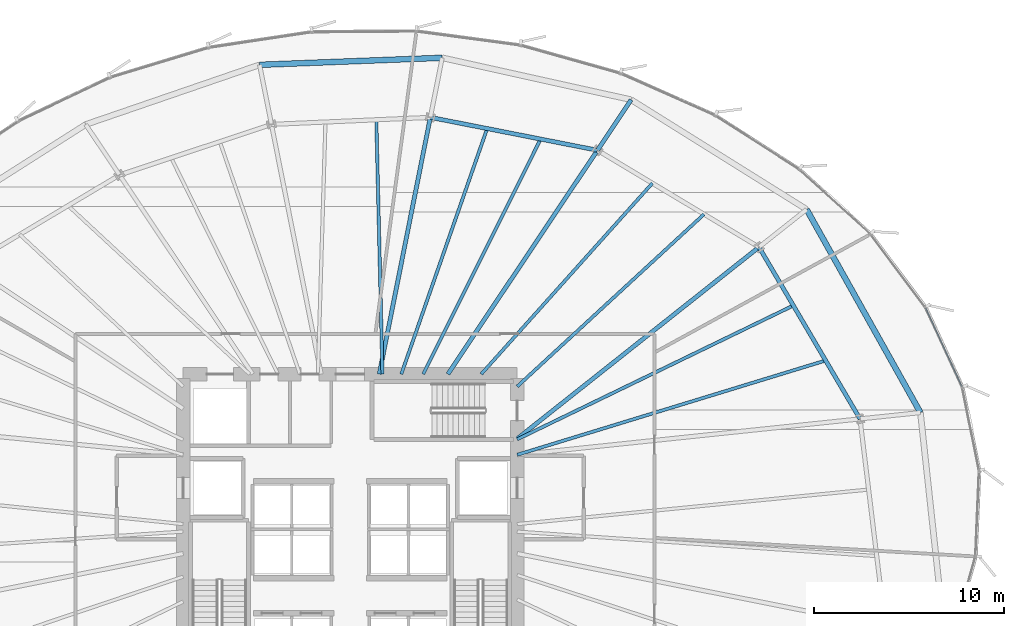
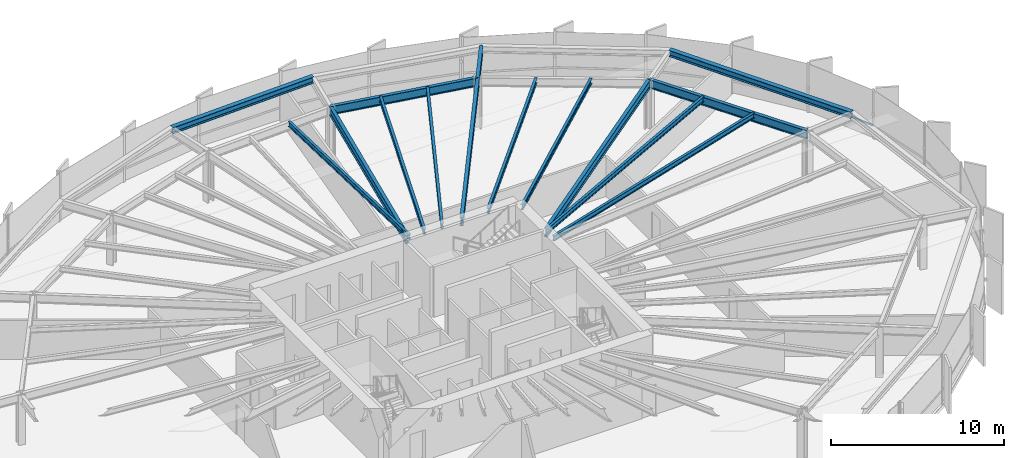
# One storey, part 22 of 37: 15 beams, 1 member, 1 element without a shape of its own.
"""IFC4 building model written with IfcOpenShell, lengths in metres."""

from ifc_helpers import new_model, si_unit, direction, frame, origin, origin_2d, place, context, subcontext, project, spatial, hollow_rectangle, i_section, extrude, source, transform, mapped, material, layer, layer_set, material_profile, profile_set, type_object, element, aggregate, save


model = new_model("IFC4")

# Units and contexts
model_context = context("Model", 3, precision=1e-05, world=origin(), true_north=direction((0.0, 1.0)))
body_context = subcontext(model_context, "Body", "Model", "MODEL_VIEW")
ifc_project = project(units=[si_unit("LENGTHUNIT", "METRE"), si_unit("AREAUNIT", "SQUARE_METRE"), si_unit("VOLUMEUNIT", "CUBIC_METRE"), si_unit("PLANEANGLEUNIT", "RADIAN"), si_unit("MASSUNIT", "GRAM", prefix="KILO"), si_unit("THERMODYNAMICTEMPERATUREUNIT", "KELVIN")], contexts=[model_context])

# Site, building, storey
site_placement = place(None, origin())
site = spatial("IfcSite", under=ifc_project, at=site_placement, CompositionType="ELEMENT")
building_placement = place(site_placement, origin())
building = spatial("IfcBuilding", under=site, at=building_placement, Name="Kethvar Cultural Tower", CompositionType="ELEMENT")
storey_placement = place(building_placement, frame((0.0, 0.0, 48.60009765625)))
storey = spatial("IfcBuildingStorey", under=building, at=storey_placement, Name="L11", CompositionType="ELEMENT", Elevation=48.60009765625)

# Beams
ifc_material_1 = material(Name="Steel S355J2", Category="steel")
ifc_material_profile_1 = material_profile(ifc_material_1, i_section(OverallWidth=0.219970703125, OverallDepth=0.60009765625, WebThickness=0.011962890625, FlangeThickness=0.01904296875, FilletRadius=0.02392578125, at=origin_2d()), Name="Steel S355J2 — IPE600")
ifc_profile_set_1 = profile_set([ifc_material_profile_1], Name="Steel S355J2 — IPE600")
beam_type_1 = type_object("IfcBeamType", Name="BM-IPE600", PredefinedType="BEAM", material=ifc_profile_set_1)
shared_shape_1 = source(origin(), body_context, "Body", "SweptSolid", [
    extrude(i_section(OverallWidth=0.219970703125, OverallDepth=0.60009765625, WebThickness=0.011962890625, FlangeThickness=0.01904296875, FilletRadius=0.02392578125, at=origin_2d()), origin(), (0.0, 0.0, 1.0), 16.248779296875),
])
beam_1_placement = place(storey_placement, frame((55.60009765625, 32.10009765625, 3.247802734375), z_axis=(0.783831288624, 0.620973840813, 0.0), x_axis=(-0.620973840813, 0.783831288624, 0.0)))
element("IfcBeam", 1, at=beam_1_placement, inside=storey, type_object=beam_type_1, Name="L11 Primary Radial Beam RB-02", PredefinedType="BEAM", context=body_context, shape_type="MappedRepresentation", body=[
    mapped(shared_shape_1, transform((0.0, 0.0, 0.0), scale=1.0)),
])
shared_shape_2 = source(origin(), body_context, "Body", "SweptSolid", [
    extrude(i_section(OverallWidth=0.219970703125, OverallDepth=0.60009765625, WebThickness=0.011962890625, FlangeThickness=0.01904296875, FilletRadius=0.02392578125, at=origin_2d()), origin(), (0.0, 0.0, 1.0), 14.18359375),
])
beam_2_placement = place(storey_placement, frame((51.945068359375, 35.5, 3.247802734375), z_axis=(0.55556584065, 0.831472547174, 0.0), x_axis=(-0.831472547174, 0.55556584065, 0.0)))
element("IfcBeam", 2, at=beam_2_placement, inside=storey, type_object=beam_type_1, Name="L11 Primary Radial Beam RB-03", PredefinedType="BEAM", context=body_context, shape_type="MappedRepresentation", body=[
    mapped(shared_shape_2, transform((0.0, 0.0, 0.0), scale=1.0)),
])
shared_shape_3 = source(origin(), body_context, "Body", "SweptSolid", [
    extrude(i_section(OverallWidth=0.219970703125, OverallDepth=0.60009765625, WebThickness=0.011962890625, FlangeThickness=0.01904296875, FilletRadius=0.02392578125, at=origin_2d()), origin(), (0.0, 0.0, 1.0), 3.2001953125),
])
beam_3_placement = place(storey_placement, frame((59.824951171875, 47.293212890625, 3.247802734375), z_axis=(0.555544970406, 0.831486491686, 0.0), x_axis=(-0.831486491686, 0.555544970406, 0.0)))
element("IfcBeam", 3, at=beam_3_placement, inside=storey, type_object=beam_type_1, Name="L11 Perimeter Cantilever Beam RC-03", PredefinedType="BEAM", context=body_context, shape_type="MappedRepresentation", body=[
    mapped(shared_shape_3, transform((0.0, 0.0, 0.0), scale=1.0)),
])
shared_shape_4 = source(origin(), body_context, "Body", "SweptSolid", [
    extrude(i_section(OverallWidth=0.219970703125, OverallDepth=0.60009765625, WebThickness=0.011962890625, FlangeThickness=0.01904296875, FilletRadius=0.02392578125, at=origin_2d()), origin(), (0.0, 0.0, 1.0), 13.791015625),
])
beam_4_placement = place(storey_placement, frame((48.33154296875, 35.5, 3.247802734375), z_axis=(0.195104916429, 0.980782377281, 0.0), x_axis=(-0.980782377281, 0.195104916429, 0.0)))
element("IfcBeam", 4, at=beam_4_placement, inside=storey, type_object=beam_type_1, Name="L11 Primary Radial Beam RB-04", PredefinedType="BEAM", context=body_context, shape_type="MappedRepresentation", body=[
    mapped(shared_shape_4, transform((0.0, 0.0, 0.0), scale=1.0)),
])
shared_shape_5 = source(origin(), body_context, "Body", "SweptSolid", [
    extrude(i_section(OverallWidth=0.219970703125, OverallDepth=0.60009765625, WebThickness=0.011962890625, FlangeThickness=0.01904296875, FilletRadius=0.02392578125, at=origin_2d()), origin(), (0.0, 0.0, 1.0), 10.496337890625),
])
beam_5_placement = place(storey_placement, frame((73.65673828125, 33.14208984375, 3.247802734375), z_axis=(-0.506871712474, 0.862021500366, 0.0), x_axis=(-0.862021500366, -0.506871712474, 0.0)))
element("IfcBeam", 5, at=beam_5_placement, inside=storey, type_object=beam_type_1, Name="L11 Column Ring Tie Beam CR-01", PredefinedType="BEAM", context=body_context, shape_type="MappedRepresentation", body=[
    mapped(shared_shape_5, transform((0.0, 0.0, 0.0), scale=1.0)),
])
ifc_material_profile_2 = material_profile(ifc_material_1, i_section(OverallWidth=0.169921875, OverallDepth=0.360107421875, WebThickness=0.008056640625, FlangeThickness=0.0126953125, FilletRadius=0.01806640625, at=origin_2d()), Name="Steel S355J2 — IPE360")
ifc_profile_set_2 = profile_set([ifc_material_profile_2], Name="Steel S355J2 — IPE360")
beam_type_2 = type_object("IfcBeamType", Name="BM-J360", PredefinedType="JOIST", material=ifc_profile_set_2)
shared_shape_6 = source(origin(), body_context, "Body", "SweptSolid", [
    extrude(i_section(OverallWidth=0.169921875, OverallDepth=0.360107421875, WebThickness=0.008056640625, FlangeThickness=0.0126953125, FilletRadius=0.01806640625, at=origin_2d()), origin(), (0.0, 0.0, 1.0), 16.990478515625),
])
beam_6_placement = place(storey_placement, frame((55.60009765625, 31.25, 3.367919921875), z_axis=(0.956287408668, 0.292428439149, 0.0), x_axis=(-0.292428439149, 0.956287408668, 0.0)))
element("IfcBeam", 6, at=beam_6_placement, inside=storey, type_object=beam_type_2, Name="L11 Composite Floor Joist J-01A", PredefinedType="JOIST", context=body_context, shape_type="MappedRepresentation", body=[
    mapped(shared_shape_6, transform((0.0, 0.0, 0.0), scale=1.0)),
])
shared_shape_7 = source(origin(), body_context, "Body", "SweptSolid", [
    extrude(i_section(OverallWidth=0.169921875, OverallDepth=0.360107421875, WebThickness=0.008056640625, FlangeThickness=0.0126953125, FilletRadius=0.01806640625, at=origin_2d()), origin(), (0.0, 0.0, 1.0), 16.163330078125),
])
beam_7_placement = place(storey_placement, frame((55.60009765625, 32.064697265625, 3.367919921875), z_axis=(0.899890099721, 0.436116737151, 0.0), x_axis=(-0.436116737151, 0.899890099721, 0.0)))
element("IfcBeam", 7, at=beam_7_placement, inside=storey, type_object=beam_type_2, Name="L11 Composite Floor Joist J-01B", PredefinedType="JOIST", context=body_context, shape_type="MappedRepresentation", body=[
    mapped(shared_shape_7, transform((0.0, 0.0, 0.0), scale=1.0)),
])
shared_shape_8 = source(origin(), body_context, "Body", "SweptSolid", [
    extrude(i_section(OverallWidth=0.169921875, OverallDepth=0.360107421875, WebThickness=0.008056640625, FlangeThickness=0.0126953125, FilletRadius=0.01806640625, at=origin_2d()), origin(), (0.0, 0.0, 1.0), 13.3876953125),
])
beam_8_placement = place(storey_placement, frame((55.60009765625, 34.85009765625, 3.367919921875), z_axis=(0.735175283276, 0.677877055859, 0.0), x_axis=(-0.677877055859, 0.735175283276, 0.0)))
element("IfcBeam", 8, at=beam_8_placement, inside=storey, type_object=beam_type_2, Name="L11 Composite Floor Joist J-02A", PredefinedType="JOIST", context=body_context, shape_type="MappedRepresentation", body=[
    mapped(shared_shape_8, transform((0.0, 0.0, 0.0), scale=1.0)),
])
shared_shape_9 = source(origin(), body_context, "Body", "SweptSolid", [
    extrude(i_section(OverallWidth=0.169921875, OverallDepth=0.360107421875, WebThickness=0.008056640625, FlangeThickness=0.0126953125, FilletRadius=0.01806640625, at=origin_2d()), origin(), (0.0, 0.0, 1.0), 13.508056640625),
])
beam_9_placement = place(storey_placement, frame((53.702392578125, 35.5, 3.367919921875), z_axis=(0.667503553274, 0.744606611821, 0.0), x_axis=(-0.744606611821, 0.667503553274, 0.0)))
element("IfcBeam", 9, at=beam_9_placement, inside=storey, type_object=beam_type_2, Name="L11 Composite Floor Joist J-02B", PredefinedType="JOIST", context=body_context, shape_type="MappedRepresentation", body=[
    mapped(shared_shape_9, transform((0.0, 0.0, 0.0), scale=1.0)),
])
shared_shape_10 = source(origin(), body_context, "Body", "SweptSolid", [
    extrude(i_section(OverallWidth=0.219970703125, OverallDepth=0.60009765625, WebThickness=0.011962890625, FlangeThickness=0.01904296875, FilletRadius=0.02392578125, at=origin_2d()), origin(), (0.0, 0.0, 1.0), 8.9716796875),
])
beam_10_placement = place(storey_placement, frame((59.824951171875, 47.293212890625, 3.247802734375), z_axis=(-0.981173751046, 0.193127083181, 0.0), x_axis=(-0.193127083181, -0.981173751046, 0.0)))
element("IfcBeam", 10, at=beam_10_placement, inside=storey, type_object=beam_type_1, Name="L11 Column Ring Tie Beam CR-03", PredefinedType="BEAM", context=body_context, shape_type="MappedRepresentation", body=[
    mapped(shared_shape_10, transform((0.0, 0.0, 0.0), scale=1.0)),
])
shared_shape_11 = source(origin(), body_context, "Body", "SweptSolid", [
    extrude(i_section(OverallWidth=0.169921875, OverallDepth=0.360107421875, WebThickness=0.008056640625, FlangeThickness=0.0126953125, FilletRadius=0.01806640625, at=origin_2d()), origin(), (0.0, 0.0, 1.0), 13.84130859375),
])
beam_11_placement = place(storey_placement, frame((50.646484375, 35.5, 3.367919921875), z_axis=(0.446889017672, 0.894589406311, 0.0), x_axis=(-0.894589406311, 0.446889017672, 0.0)))
element("IfcBeam", 11, at=beam_11_placement, inside=storey, type_object=beam_type_2, Name="L11 Composite Floor Joist J-03A", PredefinedType="JOIST", context=body_context, shape_type="MappedRepresentation", body=[
    mapped(shared_shape_11, transform((0.0, 0.0, 0.0), scale=1.0)),
])
shared_shape_12 = source(origin(), body_context, "Body", "SweptSolid", [
    extrude(i_section(OverallWidth=0.169921875, OverallDepth=0.360107421875, WebThickness=0.008056640625, FlangeThickness=0.0126953125, FilletRadius=0.01806640625, at=origin_2d()), origin(), (0.0, 0.0, 1.0), 13.70458984375),
])
beam_12_placement = place(storey_placement, frame((49.4921875, 35.5, 3.367919921875), z_axis=(0.330030618422, 0.943970227764, 0.0), x_axis=(-0.943970227764, 0.330030618422, 0.0)))
element("IfcBeam", 12, at=beam_12_placement, inside=storey, type_object=beam_type_2, Name="L11 Composite Floor Joist J-03B", PredefinedType="JOIST", context=body_context, shape_type="MappedRepresentation", body=[
    mapped(shared_shape_12, transform((0.0, 0.0, 0.0), scale=1.0)),
])
ifc_material_profile_3 = material_profile(ifc_material_1, i_section(OverallWidth=0.300048828125, OverallDepth=0.449951171875, WebThickness=0.013916015625, FlangeThickness=0.02587890625, FilletRadius=0.027099609375, at=origin_2d()), Name="Steel S355J2 — HEB450")
ifc_profile_set_3 = profile_set([ifc_material_profile_3], Name="Steel S355J2 — HEB450")
beam_type_3 = type_object("IfcBeamType", Name="BM-SP450", PredefinedType="SPANDREL", material=ifc_profile_set_3)
shared_shape_13 = source(origin(), body_context, "Body", "SweptSolid", [
    extrude(i_section(OverallWidth=0.300048828125, OverallDepth=0.449951171875, WebThickness=0.013916015625, FlangeThickness=0.02587890625, FilletRadius=0.027099609375, at=origin_2d()), origin(), (0.0, 0.0, 1.0), 9.62646484375),
])
beam_13_placement = place(storey_placement, frame((51.646484375, 52.164306640625, 3.322998046875), z_axis=(-0.999260612605, -0.038447732004, 0.0), x_axis=(0.038447732004, -0.999260612605, 0.0)))
element("IfcBeam", 13, at=beam_13_placement, inside=storey, type_object=beam_type_3, Name="L11 Perimeter Spandrel Beam SP-04", PredefinedType="SPANDREL", context=body_context, shape_type="MappedRepresentation", body=[
    mapped(shared_shape_13, transform((0.0, 0.0, 0.0), scale=1.0)),
])
shared_shape_14 = source(origin(), body_context, "Body", "SweptSolid", [
    extrude(i_section(OverallWidth=0.169921875, OverallDepth=0.360107421875, WebThickness=0.008056640625, FlangeThickness=0.0126953125, FilletRadius=0.01806640625, at=origin_2d()), origin(), (0.0, 0.0, 1.0), 13.40380859375),
])
beam_14_placement = place(storey_placement, frame((48.5, 35.5, 3.367919921875), z_axis=(-0.024170322554, 0.999707855079, 0.0), x_axis=(-0.999707855079, -0.024170322554, 0.0)))
element("IfcBeam", 14, at=beam_14_placement, inside=storey, type_object=beam_type_2, Name="L11 Composite Floor Joist J-04A", PredefinedType="JOIST", context=body_context, shape_type="MappedRepresentation", body=[
    mapped(shared_shape_14, transform((0.0, 0.0, 0.0), scale=1.0)),
])
shared_shape_15 = source(origin(), body_context, "Body", "SweptSolid", [
    extrude(i_section(OverallWidth=0.300048828125, OverallDepth=0.449951171875, WebThickness=0.013916015625, FlangeThickness=0.02587890625, FilletRadius=0.027099609375, at=origin_2d()), origin(), (0.0, 0.0, 1.0), 12.266357421875),
])
beam_15_placement = place(storey_placement, frame((76.83935546875, 33.4755859375, 3.322998046875), z_axis=(-0.488708822027, 0.872446953845, 0.0), x_axis=(-0.872446953845, -0.488708822027, 0.0)))
element("IfcBeam", 15, at=beam_15_placement, inside=storey, type_object=beam_type_3, Name="L11 Perimeter Spandrel Beam SP-01", PredefinedType="SPANDREL", context=body_context, shape_type="MappedRepresentation", body=[
    mapped(shared_shape_15, transform((0.0, 0.0, 0.0), scale=1.0)),
])

# Curtain wall, member
ifc_material_2 = material(Name="Aluminium 6063-T6", Category="aluminium")
ifc_layer = layer(ifc_material_2, 0.179931640625, Name="Aluminium 6063-T6", Category="aluminium")
ifc_layer_set = layer_set([ifc_layer], Name="Aluminium 6063-T6 (180 mm)")
curtain_wall_type = type_object("IfcCurtainWallType", Name="CW-SYS-02-Z1", PredefinedType="NOTDEFINED", material=ifc_layer_set)
curtain_wall_placement = place(storey_placement, origin())
curtain_wall = element("IfcCurtainWall", 16, at=curtain_wall_placement, inside=storey, type_object=curtain_wall_type, Name="L11 Curtain Wall Run 01", PredefinedType="NOTDEFINED")
ifc_material_profile_4 = material_profile(ifc_material_2, hollow_rectangle(XDim=0.054931640625, YDim=0.1201171875, WallThickness=0.00390625, at=origin_2d()), Name="Aluminium 6063-T6 — RHS120x55x4")
ifc_profile_set_4 = profile_set([ifc_material_profile_4], Name="Aluminium 6063-T6 — RHS120x55x4")
member_type = type_object("IfcMemberType", Name="CW-SYS-02-Z1-TRN", PredefinedType="USERDEFINED", material=ifc_profile_set_4)
shared_shape_16 = source(origin(), body_context, "Body", "SweptSolid", [
    extrude(hollow_rectangle(XDim=0.054931640625, YDim=0.1201171875, WallThickness=0.00390625, at=origin_2d()), origin(), (0.0, 0.0, 1.0), 4.556640625),
])
member_placement = place(storey_placement, frame((79.02294921875, 34.850830078125, 0.949951171875), z_axis=(-0.419156710008, 0.907913901455, 0.0), x_axis=(-0.907913901455, -0.419156710008, 0.0)))
member = element("IfcMember", 17, at=member_placement, type_object=member_type, Name="CW-L11-R01 Transom 2", ObjectType="TRANSOM", PredefinedType="USERDEFINED", context=body_context, shape_type="MappedRepresentation", body=[
    mapped(shared_shape_16, transform((0.0, 0.0, 0.0), scale=1.0)),
])
aggregate(curtain_wall, [member])

save(model, "model.ifc")
